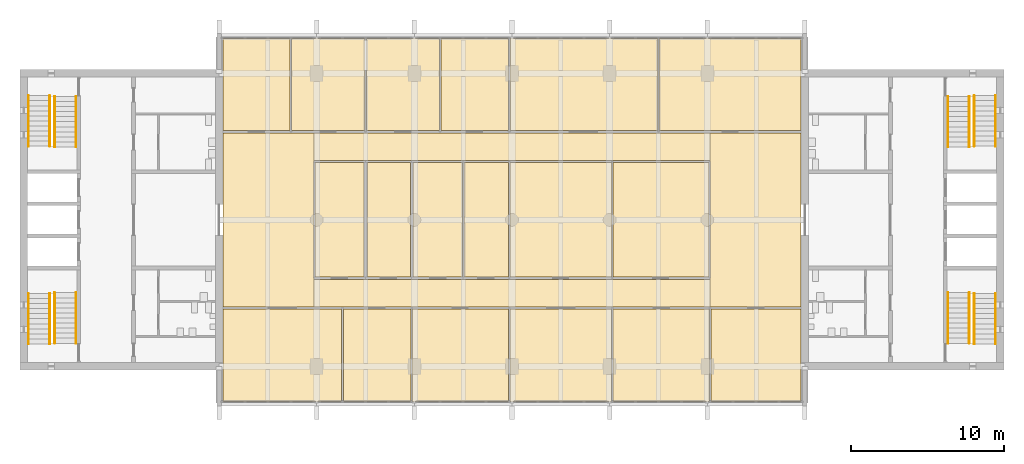
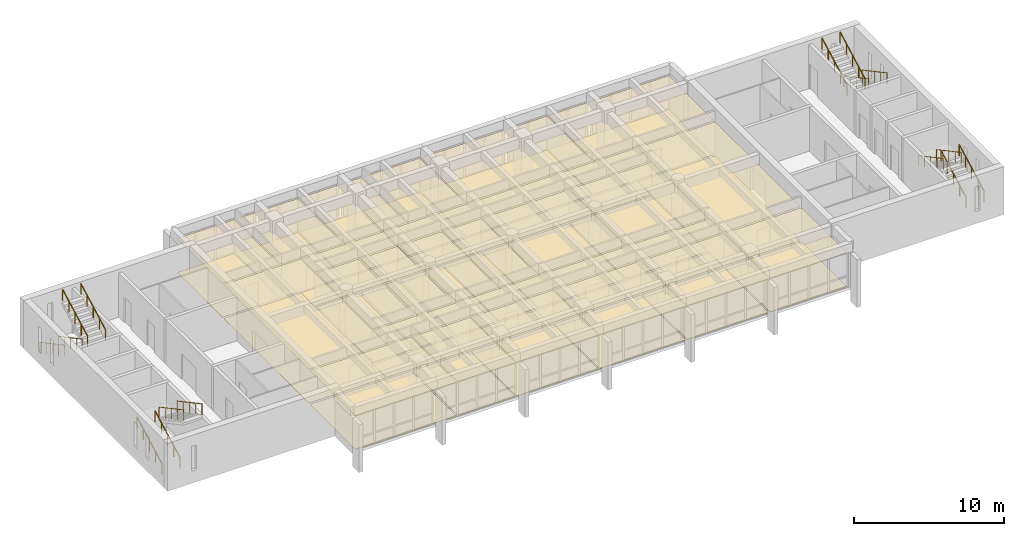
# One storey, part 14 of 15: 44 coverings, 16 railings.
"""IFC4 building model written with IfcOpenShell, lengths in metres."""

from ifc_helpers import new_model, si_unit, direction, frame, origin, origin_2d, place, context, subcontext, project, spatial, polyline, circle, outline, extrude, material, layer, layer_set, type_object, element, save


model = new_model("IFC4")

# Units and contexts
model_context = context("Model", 3, precision=1e-05, world=origin(), true_north=direction((0.0, 1.0)))
body_context = subcontext(model_context, "Body", "Model", "MODEL_VIEW")
ifc_project = project(units=[si_unit("LENGTHUNIT", "METRE"), si_unit("AREAUNIT", "SQUARE_METRE"), si_unit("VOLUMEUNIT", "CUBIC_METRE"), si_unit("PLANEANGLEUNIT", "RADIAN"), si_unit("MASSUNIT", "GRAM", prefix="KILO")], contexts=[model_context])

# Site, building, storey
site_placement = place(None, origin())
site = spatial("IfcSite", under=ifc_project, at=site_placement, CompositionType="ELEMENT")
building_placement = place(site_placement, origin())
building = spatial("IfcBuilding", under=site, at=building_placement, Name="Fogon Plaza Fire Station and Headquarters Tower", CompositionType="ELEMENT")
storey_placement = place(building_placement, frame((0.0, 0.0, 52.199951171875)))
storey = spatial("IfcBuildingStorey", under=building, at=storey_placement, Name="L13", CompositionType="ELEMENT", Elevation=52.199951171875)

# Railings
ifc_material_1 = material(Name="Steel", Category="steel")
railing_type = type_object("IfcRailingType", Name="Stair Handrail 900", PredefinedType="HANDRAIL", material=ifc_material_1)
for number, where, name in (
    (1, (13.10009765625, 35.06005859375, 0.17724609375), "Handrail ST1"),
    (2, (14.5, 35.06005859375, 0.17724609375), "Handrail ST1"),
):
    element("IfcRailing", number, at=place(storey_placement, frame(where)), inside=storey, type_object=railing_type, Name=name, PredefinedType="HANDRAIL", context=body_context, shape_type="SweptSolid", body=[
        extrude(circle(Radius=0.02392578125, at=origin_2d()), frame((0.0, 0.0, 0.8759765625), z_axis=(0.0, 0.881829236777, 0.471568867892), x_axis=(-1.0, 0.0, 0.0)), (0.0, 0.0, 1.0), 3.75927734375),
        extrude(circle(Radius=0.02099609375, at=origin_2d()), origin(), (0.0, 0.0, 1.0), 0.851806640625),
        extrude(circle(Radius=0.02099609375, at=origin_2d()), frame((0.0, 0.82861328125, 0.443115234375)), (0.0, 0.0, 1.0), 0.851806640625),
        extrude(circle(Radius=0.02099609375, at=origin_2d()), frame((0.0, 1.657470703125, 0.88623046875)), (0.0, 0.0, 1.0), 0.851806640625),
        extrude(circle(Radius=0.02099609375, at=origin_2d()), frame((0.0, 2.486328125, 1.32958984375)), (0.0, 0.0, 1.0), 0.851806640625),
        extrude(circle(Radius=0.02099609375, at=origin_2d()), frame((0.0, 3.31494140625, 1.772705078125)), (0.0, 0.0, 1.0), 0.851806640625),
    ])
for number, where, name in (
    (3, (16.22509765625, 38.425048828125, 2.12744140625), "Handrail ST1"),
    (4, (14.824951171875, 38.425048828125, 2.12744140625), "Handrail ST1"),
):
    element("IfcRailing", number, at=place(storey_placement, frame(where)), inside=storey, type_object=railing_type, Name=name, PredefinedType="HANDRAIL", context=body_context, shape_type="SweptSolid", body=[
        extrude(circle(Radius=0.02392578125, at=origin_2d()), frame((0.0, 0.0, 0.8759765625), z_axis=(0.0, -0.881829236777, 0.471568867892), x_axis=(1.0, 0.0, 0.0)), (0.0, 0.0, 1.0), 3.75927734375),
        extrude(circle(Radius=0.02099609375, at=origin_2d()), origin(), (0.0, 0.0, 1.0), 0.851806640625),
        extrude(circle(Radius=0.02099609375, at=origin_2d()), frame((0.0, -0.82861328125, 0.443115234375)), (0.0, 0.0, 1.0), 0.851806640625),
        extrude(circle(Radius=0.02099609375, at=origin_2d()), frame((0.0, -1.657470703125, 0.88623046875)), (0.0, 0.0, 1.0), 0.851806640625),
        extrude(circle(Radius=0.02099609375, at=origin_2d()), frame((0.0, -2.486328125, 1.32958984375)), (0.0, 0.0, 1.0), 0.851806640625),
        extrude(circle(Radius=0.02099609375, at=origin_2d()), frame((0.0, -3.31494140625, 1.772705078125)), (0.0, 0.0, 1.0), 0.851806640625),
    ])
for number, where, name in (
    (5, (13.10009765625, 51.340087890625, 0.17724609375), "Handrail ST2"),
    (6, (14.5, 51.340087890625, 0.17724609375), "Handrail ST2"),
):
    element("IfcRailing", number, at=place(storey_placement, frame(where)), inside=storey, type_object=railing_type, Name=name, PredefinedType="HANDRAIL", context=body_context, shape_type="SweptSolid", body=[
        extrude(circle(Radius=0.02392578125, at=origin_2d()), frame((0.0, 0.0, 0.8759765625), z_axis=(0.0, -0.881843677922, 0.471541862095), x_axis=(1.0, 0.0, 0.0)), (0.0, 0.0, 1.0), 3.75927734375),
        extrude(circle(Radius=0.02099609375, at=origin_2d()), origin(), (0.0, 0.0, 1.0), 0.851806640625),
        extrude(circle(Radius=0.02099609375, at=origin_2d()), frame((0.0, -0.828857421875, 0.443115234375)), (0.0, 0.0, 1.0), 0.851806640625),
        extrude(circle(Radius=0.02099609375, at=origin_2d()), frame((0.0, -1.65771484375, 0.88623046875)), (0.0, 0.0, 1.0), 0.851806640625),
        extrude(circle(Radius=0.02099609375, at=origin_2d()), frame((0.0, -2.486328125, 1.32958984375)), (0.0, 0.0, 1.0), 0.851806640625),
        extrude(circle(Radius=0.02099609375, at=origin_2d()), frame((0.0, -3.315185546875, 1.772705078125)), (0.0, 0.0, 1.0), 0.851806640625),
    ])
for number, where, name in (
    (7, (16.22509765625, 47.97509765625, 2.12744140625), "Handrail ST2"),
    (8, (14.824951171875, 47.97509765625, 2.12744140625), "Handrail ST2"),
    (9, (76.5, 35.06005859375, 0.17724609375), "Handrail ST3"),
    (10, (75.10009765625, 35.06005859375, 0.17724609375), "Handrail ST3"),
):
    element("IfcRailing", number, at=place(storey_placement, frame(where)), inside=storey, type_object=railing_type, Name=name, PredefinedType="HANDRAIL", context=body_context, shape_type="SweptSolid", body=[
        extrude(circle(Radius=0.02392578125, at=origin_2d()), frame((0.0, 0.0, 0.8759765625), z_axis=(0.0, 0.881829236777, 0.471568867892), x_axis=(-1.0, 0.0, 0.0)), (0.0, 0.0, 1.0), 3.75927734375),
        extrude(circle(Radius=0.02099609375, at=origin_2d()), origin(), (0.0, 0.0, 1.0), 0.851806640625),
        extrude(circle(Radius=0.02099609375, at=origin_2d()), frame((0.0, 0.82861328125, 0.443115234375)), (0.0, 0.0, 1.0), 0.851806640625),
        extrude(circle(Radius=0.02099609375, at=origin_2d()), frame((0.0, 1.657470703125, 0.88623046875)), (0.0, 0.0, 1.0), 0.851806640625),
        extrude(circle(Radius=0.02099609375, at=origin_2d()), frame((0.0, 2.486328125, 1.32958984375)), (0.0, 0.0, 1.0), 0.851806640625),
        extrude(circle(Radius=0.02099609375, at=origin_2d()), frame((0.0, 3.31494140625, 1.772705078125)), (0.0, 0.0, 1.0), 0.851806640625),
    ])
for number, where, name in (
    (11, (73.375, 38.425048828125, 2.12744140625), "Handrail ST3"),
    (12, (74.77490234375, 38.425048828125, 2.12744140625), "Handrail ST3"),
):
    element("IfcRailing", number, at=place(storey_placement, frame(where)), inside=storey, type_object=railing_type, Name=name, PredefinedType="HANDRAIL", context=body_context, shape_type="SweptSolid", body=[
        extrude(circle(Radius=0.02392578125, at=origin_2d()), frame((0.0, 0.0, 0.8759765625), z_axis=(0.0, -0.881829236777, 0.471568867892), x_axis=(1.0, 0.0, 0.0)), (0.0, 0.0, 1.0), 3.75927734375),
        extrude(circle(Radius=0.02099609375, at=origin_2d()), origin(), (0.0, 0.0, 1.0), 0.851806640625),
        extrude(circle(Radius=0.02099609375, at=origin_2d()), frame((0.0, -0.82861328125, 0.443115234375)), (0.0, 0.0, 1.0), 0.851806640625),
        extrude(circle(Radius=0.02099609375, at=origin_2d()), frame((0.0, -1.657470703125, 0.88623046875)), (0.0, 0.0, 1.0), 0.851806640625),
        extrude(circle(Radius=0.02099609375, at=origin_2d()), frame((0.0, -2.486328125, 1.32958984375)), (0.0, 0.0, 1.0), 0.851806640625),
        extrude(circle(Radius=0.02099609375, at=origin_2d()), frame((0.0, -3.31494140625, 1.772705078125)), (0.0, 0.0, 1.0), 0.851806640625),
    ])
for number, where, name in (
    (13, (76.5, 51.340087890625, 0.17724609375), "Handrail ST4"),
    (14, (75.10009765625, 51.340087890625, 0.17724609375), "Handrail ST4"),
):
    element("IfcRailing", number, at=place(storey_placement, frame(where)), inside=storey, type_object=railing_type, Name=name, PredefinedType="HANDRAIL", context=body_context, shape_type="SweptSolid", body=[
        extrude(circle(Radius=0.02392578125, at=origin_2d()), frame((0.0, 0.0, 0.8759765625), z_axis=(0.0, -0.881843677922, 0.471541862095), x_axis=(1.0, 0.0, 0.0)), (0.0, 0.0, 1.0), 3.75927734375),
        extrude(circle(Radius=0.02099609375, at=origin_2d()), origin(), (0.0, 0.0, 1.0), 0.851806640625),
        extrude(circle(Radius=0.02099609375, at=origin_2d()), frame((0.0, -0.828857421875, 0.443115234375)), (0.0, 0.0, 1.0), 0.851806640625),
        extrude(circle(Radius=0.02099609375, at=origin_2d()), frame((0.0, -1.65771484375, 0.88623046875)), (0.0, 0.0, 1.0), 0.851806640625),
        extrude(circle(Radius=0.02099609375, at=origin_2d()), frame((0.0, -2.486328125, 1.32958984375)), (0.0, 0.0, 1.0), 0.851806640625),
        extrude(circle(Radius=0.02099609375, at=origin_2d()), frame((0.0, -3.315185546875, 1.772705078125)), (0.0, 0.0, 1.0), 0.851806640625),
    ])
for number, where, name in (
    (15, (73.375, 47.97509765625, 2.12744140625), "Handrail ST4"),
    (16, (74.77490234375, 47.97509765625, 2.12744140625), "Handrail ST4"),
):
    element("IfcRailing", number, at=place(storey_placement, frame(where)), inside=storey, type_object=railing_type, Name=name, PredefinedType="HANDRAIL", context=body_context, shape_type="SweptSolid", body=[
        extrude(circle(Radius=0.02392578125, at=origin_2d()), frame((0.0, 0.0, 0.8759765625), z_axis=(0.0, 0.881829236777, 0.471568867892), x_axis=(-1.0, 0.0, 0.0)), (0.0, 0.0, 1.0), 3.75927734375),
        extrude(circle(Radius=0.02099609375, at=origin_2d()), origin(), (0.0, 0.0, 1.0), 0.851806640625),
        extrude(circle(Radius=0.02099609375, at=origin_2d()), frame((0.0, 0.82861328125, 0.443115234375)), (0.0, 0.0, 1.0), 0.851806640625),
        extrude(circle(Radius=0.02099609375, at=origin_2d()), frame((0.0, 1.657470703125, 0.88623046875)), (0.0, 0.0, 1.0), 0.851806640625),
        extrude(circle(Radius=0.02099609375, at=origin_2d()), frame((0.0, 2.486328125, 1.32958984375)), (0.0, 0.0, 1.0), 0.851806640625),
        extrude(circle(Radius=0.02099609375, at=origin_2d()), frame((0.0, 3.31494140625, 1.772705078125)), (0.0, 0.0, 1.0), 0.851806640625),
    ])

# Coverings
ifc_material_2 = material(Name="Acoustic ceiling tile")
ifc_layer_1 = layer(ifc_material_2, 0.050048828125)
ifc_layer_set_1 = layer_set([ifc_layer_1], Name="Acoustic ceiling tile")
covering_type_1 = type_object("IfcCoveringType", Name="Tower acoustic ceiling", PredefinedType="CEILING", material=ifc_layer_set_1)
covering_1_placement = place(storey_placement, frame((0.0, 0.0, 2.72998046875)))
element("IfcCovering", 17, at=covering_1_placement, inside=storey, type_object=covering_type_1, Name="cov-cl-L13-03", PredefinedType="CEILING", context=body_context, shape_type="SweptSolid", body=[
    extrude(outline(polyline([(44.58251953125, 31.300048828125), (44.58251953125, 37.35009765625), (38.257568359375, 37.35009765625), (38.257568359375, 31.300048828125), (44.58251953125, 31.300048828125)])), origin(), (0.0, 0.0, 1.0), 0.050048828125),
])
covering_2_placement = place(storey_placement, frame((0.0, 0.0, 2.72998046875)))
element("IfcCovering", 18, at=covering_2_placement, inside=storey, type_object=covering_type_1, Name="cov-cl-L13-08", PredefinedType="CEILING", context=body_context, shape_type="SweptSolid", body=[
    extrude(outline(polyline([(38.132568359375, 39.449951171875), (38.132568359375, 46.949951171875), (35.28759765625, 46.949951171875), (35.28759765625, 39.449951171875), (38.132568359375, 39.449951171875)])), origin(), (0.0, 0.0, 1.0), 0.050048828125),
])
covering_3_placement = place(storey_placement, frame((0.0, 0.0, 2.72998046875)))
element("IfcCovering", 19, at=covering_3_placement, inside=storey, type_object=covering_type_1, Name="cov-cl-L13-09", PredefinedType="CEILING", context=body_context, shape_type="SweptSolid", body=[
    extrude(outline(polyline([(41.5625, 39.449951171875), (41.5625, 46.949951171875), (38.3076171875, 46.949951171875), (38.3076171875, 39.449951171875), (41.5625, 39.449951171875)])), origin(), (0.0, 0.0, 1.0), 0.050048828125),
])
covering_4_placement = place(storey_placement, frame((0.0, 0.0, 2.72998046875)))
element("IfcCovering", 20, at=covering_4_placement, inside=storey, type_object=covering_type_1, Name="cov-cl-L13-11", PredefinedType="CEILING", context=body_context, shape_type="SweptSolid", body=[
    extrude(outline(polyline([(51.342529296875, 39.449951171875), (51.342529296875, 46.949951171875), (44.657470703125, 46.949951171875), (44.657470703125, 39.449951171875), (51.342529296875, 39.449951171875)])), origin(), (0.0, 0.0, 1.0), 0.050048828125),
])
covering_5_placement = place(storey_placement, frame((0.0, 0.0, 2.72998046875)))
element("IfcCovering", 21, at=covering_5_placement, inside=storey, type_object=covering_type_1, Name="cov-cl-L13-18", PredefinedType="CEILING", context=body_context, shape_type="SweptSolid", body=[
    extrude(outline(polyline([(63.75, 49.050048828125), (63.75, 55.10009765625), (54.4375, 55.10009765625), (54.4375, 49.050048828125), (63.75, 49.050048828125)])), origin(), (0.0, 0.0, 1.0), 0.050048828125),
])
ifc_material_3 = material(Name="Carpet tile")
ifc_layer_2 = layer(ifc_material_3, 0.011962890625)
ifc_layer_set_2 = layer_set([ifc_layer_2], Name="Carpet tile")
covering_type_2 = type_object("IfcCoveringType", Name="Tower carpet tile floor", PredefinedType="FLOORING", material=ifc_layer_set_2)
covering_6_placement = place(storey_placement, origin())
element("IfcCovering", 22, at=covering_6_placement, inside=storey, type_object=covering_type_2, Name="cov-fl-L13-01", PredefinedType="FLOORING", context=body_context, shape_type="SweptSolid", body=[
    extrude(outline(polyline([(33.639892578125, 31.300048828125), (33.639892578125, 37.35009765625), (25.85009765625, 37.35009765625), (25.85009765625, 31.300048828125), (33.639892578125, 31.300048828125)])), origin(), (0.0, 0.0, 1.0), 0.011962890625),
])
covering_7_placement = place(storey_placement, origin())
element("IfcCovering", 23, at=covering_7_placement, inside=storey, type_object=covering_type_2, Name="cov-fl-L13-02", PredefinedType="FLOORING", context=body_context, shape_type="SweptSolid", body=[
    extrude(outline(polyline([(38.1826171875, 31.300048828125), (38.1826171875, 37.35009765625), (33.739990234375, 37.35009765625), (33.739990234375, 31.300048828125), (38.1826171875, 31.300048828125)])), origin(), (0.0, 0.0, 1.0), 0.011962890625),
])
covering_8_placement = place(storey_placement, origin())
element("IfcCovering", 24, at=covering_8_placement, inside=storey, type_object=covering_type_2, Name="cov-fl-L13-03", PredefinedType="FLOORING", context=body_context, shape_type="SweptSolid", body=[
    extrude(outline(polyline([(44.58251953125, 31.300048828125), (44.58251953125, 37.35009765625), (38.257568359375, 37.35009765625), (38.257568359375, 31.300048828125), (44.58251953125, 31.300048828125)])), origin(), (0.0, 0.0, 1.0), 0.011962890625),
])
covering_9_placement = place(storey_placement, origin())
element("IfcCovering", 25, at=covering_9_placement, inside=storey, type_object=covering_type_2, Name="cov-fl-L13-04", PredefinedType="FLOORING", context=body_context, shape_type="SweptSolid", body=[
    extrude(outline(polyline([(51.330078125, 31.300048828125), (51.330078125, 37.35009765625), (44.657470703125, 37.35009765625), (44.657470703125, 31.300048828125), (51.330078125, 31.300048828125)])), origin(), (0.0, 0.0, 1.0), 0.011962890625),
])
covering_10_placement = place(storey_placement, origin())
element("IfcCovering", 26, at=covering_10_placement, inside=storey, type_object=covering_type_2, Name="cov-fl-L13-05", PredefinedType="FLOORING", context=body_context, shape_type="SweptSolid", body=[
    extrude(outline(polyline([(57.72998046875, 31.300048828125), (57.72998046875, 37.35009765625), (51.429931640625, 37.35009765625), (51.429931640625, 31.300048828125), (57.72998046875, 31.300048828125)])), origin(), (0.0, 0.0, 1.0), 0.011962890625),
])
covering_11_placement = place(storey_placement, origin())
element("IfcCovering", 27, at=covering_11_placement, inside=storey, type_object=covering_type_2, Name="cov-fl-L13-06", PredefinedType="FLOORING", context=body_context, shape_type="SweptSolid", body=[
    extrude(outline(polyline([(63.75, 31.300048828125), (63.75, 37.35009765625), (57.830078125, 37.35009765625), (57.830078125, 31.300048828125), (63.75, 31.300048828125)])), origin(), (0.0, 0.0, 1.0), 0.011962890625),
])
covering_12_placement = place(storey_placement, origin())
element("IfcCovering", 28, at=covering_12_placement, inside=storey, type_object=covering_type_2, Name="cov-fl-L13-08", PredefinedType="FLOORING", context=body_context, shape_type="SweptSolid", body=[
    extrude(outline(polyline([(38.132568359375, 39.449951171875), (38.132568359375, 46.949951171875), (35.28759765625, 46.949951171875), (35.28759765625, 39.449951171875), (38.132568359375, 39.449951171875)])), origin(), (0.0, 0.0, 1.0), 0.011962890625),
])
covering_13_placement = place(storey_placement, origin())
element("IfcCovering", 29, at=covering_13_placement, inside=storey, type_object=covering_type_2, Name="cov-fl-L13-09", PredefinedType="FLOORING", context=body_context, shape_type="SweptSolid", body=[
    extrude(outline(polyline([(41.5625, 39.449951171875), (41.5625, 46.949951171875), (38.3076171875, 46.949951171875), (38.3076171875, 39.449951171875), (41.5625, 39.449951171875)])), origin(), (0.0, 0.0, 1.0), 0.011962890625),
])
covering_14_placement = place(storey_placement, origin())
element("IfcCovering", 30, at=covering_14_placement, inside=storey, type_object=covering_type_2, Name="cov-fl-L13-11", PredefinedType="FLOORING", context=body_context, shape_type="SweptSolid", body=[
    extrude(outline(polyline([(51.342529296875, 39.449951171875), (51.342529296875, 46.949951171875), (44.657470703125, 46.949951171875), (44.657470703125, 39.449951171875), (51.342529296875, 39.449951171875)])), origin(), (0.0, 0.0, 1.0), 0.011962890625),
])
covering_15_placement = place(storey_placement, origin())
element("IfcCovering", 31, at=covering_15_placement, inside=storey, type_object=covering_type_2, Name="cov-fl-L13-13", PredefinedType="FLOORING", context=body_context, shape_type="SweptSolid", body=[
    extrude(outline(polyline([(30.260009765625, 49.050048828125), (30.260009765625, 55.10009765625), (25.85009765625, 55.10009765625), (25.85009765625, 49.050048828125), (30.260009765625, 49.050048828125)])), origin(), (0.0, 0.0, 1.0), 0.011962890625),
])
covering_16_placement = place(storey_placement, origin())
element("IfcCovering", 32, at=covering_16_placement, inside=storey, type_object=covering_type_2, Name="cov-fl-L13-14", PredefinedType="FLOORING", context=body_context, shape_type="SweptSolid", body=[
    extrude(outline(polyline([(35.14990234375, 49.050048828125), (35.14990234375, 55.10009765625), (30.360107421875, 55.10009765625), (30.360107421875, 49.050048828125), (35.14990234375, 49.050048828125)])), origin(), (0.0, 0.0, 1.0), 0.011962890625),
])
covering_17_placement = place(storey_placement, origin())
element("IfcCovering", 33, at=covering_17_placement, inside=storey, type_object=covering_type_2, Name="cov-fl-L13-15", PredefinedType="FLOORING", context=body_context, shape_type="SweptSolid", body=[
    extrude(outline(polyline([(40.0400390625, 49.050048828125), (40.0400390625, 55.10009765625), (35.25, 55.10009765625), (35.25, 49.050048828125), (40.0400390625, 49.050048828125)])), origin(), (0.0, 0.0, 1.0), 0.011962890625),
])
covering_18_placement = place(storey_placement, origin())
element("IfcCovering", 34, at=covering_18_placement, inside=storey, type_object=covering_type_2, Name="cov-fl-L13-16", PredefinedType="FLOORING", context=body_context, shape_type="SweptSolid", body=[
    extrude(outline(polyline([(44.570068359375, 49.050048828125), (44.570068359375, 55.10009765625), (40.139892578125, 55.10009765625), (40.139892578125, 49.050048828125), (44.570068359375, 49.050048828125)])), origin(), (0.0, 0.0, 1.0), 0.011962890625),
])
covering_19_placement = place(storey_placement, origin())
element("IfcCovering", 35, at=covering_19_placement, inside=storey, type_object=covering_type_2, Name="cov-fl-L13-17", PredefinedType="FLOORING", context=body_context, shape_type="SweptSolid", body=[
    extrude(outline(polyline([(54.362548828125, 49.050048828125), (54.362548828125, 55.10009765625), (44.669921875, 55.10009765625), (44.669921875, 49.050048828125), (54.362548828125, 49.050048828125)])), origin(), (0.0, 0.0, 1.0), 0.011962890625),
])
covering_20_placement = place(storey_placement, origin())
element("IfcCovering", 36, at=covering_20_placement, inside=storey, type_object=covering_type_2, Name="cov-fl-L13-18", PredefinedType="FLOORING", context=body_context, shape_type="SweptSolid", body=[
    extrude(outline(polyline([(63.75, 49.050048828125), (63.75, 55.10009765625), (54.4375, 55.10009765625), (54.4375, 49.050048828125), (63.75, 49.050048828125)])), origin(), (0.0, 0.0, 1.0), 0.011962890625),
])
ifc_material_4 = material(Name="Heavy duty carpet tile")
ifc_layer_3 = layer(ifc_material_4, 0.013916015625)
ifc_layer_set_3 = layer_set([ifc_layer_3], Name="Heavy duty carpet tile")
covering_type_3 = type_object("IfcCoveringType", Name="Tower corridor carpet floor", PredefinedType="FLOORING", material=ifc_layer_set_3)
covering_21_placement = place(storey_placement, origin())
element("IfcCovering", 37, at=covering_21_placement, inside=storey, type_object=covering_type_3, Name="cov-fl-L13-19", PredefinedType="FLOORING", context=body_context, shape_type="SweptSolid", body=[
    extrude(outline(polyline([(57.780029296875, 37.5), (57.780029296875, 39.300048828125), (31.820068359375, 39.300048828125), (31.820068359375, 37.5), (57.780029296875, 37.5)])), origin(), (0.0, 0.0, 1.0), 0.01416015625),
])
covering_22_placement = place(storey_placement, origin())
element("IfcCovering", 38, at=covering_22_placement, inside=storey, type_object=covering_type_3, Name="cov-fl-L13-20", PredefinedType="FLOORING", context=body_context, shape_type="SweptSolid", body=[
    extrude(outline(polyline([(57.780029296875, 47.10009765625), (57.780029296875, 48.89990234375), (31.820068359375, 48.89990234375), (31.820068359375, 47.10009765625), (57.780029296875, 47.10009765625)])), origin(), (0.0, 0.0, 1.0), 0.01416015625),
])
covering_23_placement = place(storey_placement, origin())
element("IfcCovering", 39, at=covering_23_placement, inside=storey, type_object=covering_type_3, Name="cov-fl-L13-21", PredefinedType="FLOORING", context=body_context, shape_type="SweptSolid", body=[
    extrude(outline(polyline([(31.820068359375, 37.5), (31.820068359375, 48.89990234375), (25.85009765625, 48.89990234375), (25.85009765625, 37.5), (31.820068359375, 37.5)])), origin(), (0.0, 0.0, 1.0), 0.01416015625),
])
covering_24_placement = place(storey_placement, origin())
element("IfcCovering", 40, at=covering_24_placement, inside=storey, type_object=covering_type_3, Name="cov-fl-L13-22", PredefinedType="FLOORING", context=body_context, shape_type="SweptSolid", body=[
    extrude(outline(polyline([(63.75, 37.5), (63.75, 48.89990234375), (57.780029296875, 48.89990234375), (57.780029296875, 37.5), (63.75, 37.5)])), origin(), (0.0, 0.0, 1.0), 0.01416015625),
])
ifc_material_5 = material(Name="Plasterboard ceiling")
ifc_layer_4 = layer(ifc_material_5, 0.030029296875)
ifc_layer_set_4 = layer_set([ifc_layer_4], Name="Plasterboard ceiling")
covering_type_4 = type_object("IfcCoveringType", Name="Tower plasterboard ceiling", PredefinedType="CEILING", material=ifc_layer_set_4)
covering_25_placement = place(storey_placement, frame((0.0, 0.0, 2.75)))
element("IfcCovering", 41, at=covering_25_placement, inside=storey, type_object=covering_type_4, Name="cov-cl-L13-19", PredefinedType="CEILING", context=body_context, shape_type="SweptSolid", body=[
    extrude(outline(polyline([(57.780029296875, 37.5), (57.780029296875, 39.300048828125), (31.820068359375, 39.300048828125), (31.820068359375, 37.5), (57.780029296875, 37.5)])), origin(), (0.0, 0.0, 1.0), 0.030029296875),
])
covering_26_placement = place(storey_placement, frame((0.0, 0.0, 2.75)))
element("IfcCovering", 42, at=covering_26_placement, inside=storey, type_object=covering_type_4, Name="cov-cl-L13-20", PredefinedType="CEILING", context=body_context, shape_type="SweptSolid", body=[
    extrude(outline(polyline([(57.780029296875, 47.10009765625), (57.780029296875, 48.89990234375), (31.820068359375, 48.89990234375), (31.820068359375, 47.10009765625), (57.780029296875, 47.10009765625)])), origin(), (0.0, 0.0, 1.0), 0.030029296875),
])
covering_27_placement = place(storey_placement, frame((0.0, 0.0, 2.75)))
element("IfcCovering", 43, at=covering_27_placement, inside=storey, type_object=covering_type_4, Name="cov-cl-L13-21", PredefinedType="CEILING", context=body_context, shape_type="SweptSolid", body=[
    extrude(outline(polyline([(31.820068359375, 37.5), (31.820068359375, 48.89990234375), (25.85009765625, 48.89990234375), (25.85009765625, 37.5), (31.820068359375, 37.5)])), origin(), (0.0, 0.0, 1.0), 0.030029296875),
])
covering_28_placement = place(storey_placement, frame((0.0, 0.0, 2.75)))
element("IfcCovering", 44, at=covering_28_placement, inside=storey, type_object=covering_type_4, Name="cov-cl-L13-22", PredefinedType="CEILING", context=body_context, shape_type="SweptSolid", body=[
    extrude(outline(polyline([(63.75, 37.5), (63.75, 48.89990234375), (57.780029296875, 48.89990234375), (57.780029296875, 37.5), (63.75, 37.5)])), origin(), (0.0, 0.0, 1.0), 0.030029296875),
])
ifc_material_6 = material(Name="Sealed cement screed")
ifc_layer_5 = layer(ifc_material_6, 0.030029296875)
ifc_layer_set_5 = layer_set([ifc_layer_5], Name="Sealed cement screed")
covering_type_5 = type_object("IfcCoveringType", Name="Tower sealed screed floor", PredefinedType="FLOORING", material=ifc_layer_set_5)
covering_29_placement = place(storey_placement, origin())
element("IfcCovering", 45, at=covering_29_placement, inside=storey, type_object=covering_type_5, Name="cov-fl-L13-07", PredefinedType="FLOORING", context=body_context, shape_type="SweptSolid", body=[
    extrude(outline(polyline([(35.112548828125, 39.449951171875), (35.112548828125, 46.949951171875), (31.89501953125, 46.949951171875), (31.89501953125, 39.449951171875), (35.112548828125, 39.449951171875)])), origin(), (0.0, 0.0, 1.0), 0.030029296875),
])
covering_30_placement = place(storey_placement, origin())
element("IfcCovering", 46, at=covering_30_placement, inside=storey, type_object=covering_type_5, Name="cov-fl-L13-10", PredefinedType="FLOORING", context=body_context, shape_type="SweptSolid", body=[
    extrude(outline(polyline([(44.58251953125, 39.449951171875), (44.58251953125, 46.949951171875), (41.637451171875, 46.949951171875), (41.637451171875, 39.449951171875), (44.58251953125, 39.449951171875)])), origin(), (0.0, 0.0, 1.0), 0.030029296875),
])
covering_31_placement = place(storey_placement, origin())
element("IfcCovering", 47, at=covering_31_placement, inside=storey, type_object=covering_type_5, Name="cov-fl-L13-12", PredefinedType="FLOORING", context=body_context, shape_type="SweptSolid", body=[
    extrude(outline(polyline([(57.705078125, 39.449951171875), (57.705078125, 46.949951171875), (51.41748046875, 46.949951171875), (51.41748046875, 39.449951171875), (57.705078125, 39.449951171875)])), origin(), (0.0, 0.0, 1.0), 0.030029296875),
])
ifc_material_7 = material(Name="Mineral fibre ceiling tile")
ifc_layer_6 = layer(ifc_material_7, 0.0400390625)
ifc_layer_set_6 = layer_set([ifc_layer_6], Name="Mineral fibre ceiling tile")
covering_type_6 = type_object("IfcCoveringType", Name="Tower suspended tile ceiling", PredefinedType="CEILING", material=ifc_layer_set_6)
covering_32_placement = place(storey_placement, frame((0.0, 0.0, 2.739990234375)))
element("IfcCovering", 48, at=covering_32_placement, inside=storey, type_object=covering_type_6, Name="cov-cl-L13-01", PredefinedType="CEILING", context=body_context, shape_type="SweptSolid", body=[
    extrude(outline(polyline([(33.639892578125, 31.300048828125), (33.639892578125, 37.35009765625), (25.85009765625, 37.35009765625), (25.85009765625, 31.300048828125), (33.639892578125, 31.300048828125)])), origin(), (0.0, 0.0, 1.0), 0.0400390625),
])
covering_33_placement = place(storey_placement, frame((0.0, 0.0, 2.739990234375)))
element("IfcCovering", 49, at=covering_33_placement, inside=storey, type_object=covering_type_6, Name="cov-cl-L13-02", PredefinedType="CEILING", context=body_context, shape_type="SweptSolid", body=[
    extrude(outline(polyline([(38.1826171875, 31.300048828125), (38.1826171875, 37.35009765625), (33.739990234375, 37.35009765625), (33.739990234375, 31.300048828125), (38.1826171875, 31.300048828125)])), origin(), (0.0, 0.0, 1.0), 0.0400390625),
])
covering_34_placement = place(storey_placement, frame((0.0, 0.0, 2.739990234375)))
element("IfcCovering", 50, at=covering_34_placement, inside=storey, type_object=covering_type_6, Name="cov-cl-L13-04", PredefinedType="CEILING", context=body_context, shape_type="SweptSolid", body=[
    extrude(outline(polyline([(51.330078125, 31.300048828125), (51.330078125, 37.35009765625), (44.657470703125, 37.35009765625), (44.657470703125, 31.300048828125), (51.330078125, 31.300048828125)])), origin(), (0.0, 0.0, 1.0), 0.0400390625),
])
covering_35_placement = place(storey_placement, frame((0.0, 0.0, 2.739990234375)))
element("IfcCovering", 51, at=covering_35_placement, inside=storey, type_object=covering_type_6, Name="cov-cl-L13-05", PredefinedType="CEILING", context=body_context, shape_type="SweptSolid", body=[
    extrude(outline(polyline([(57.72998046875, 31.300048828125), (57.72998046875, 37.35009765625), (51.429931640625, 37.35009765625), (51.429931640625, 31.300048828125), (57.72998046875, 31.300048828125)])), origin(), (0.0, 0.0, 1.0), 0.0400390625),
])
covering_36_placement = place(storey_placement, frame((0.0, 0.0, 2.739990234375)))
element("IfcCovering", 52, at=covering_36_placement, inside=storey, type_object=covering_type_6, Name="cov-cl-L13-06", PredefinedType="CEILING", context=body_context, shape_type="SweptSolid", body=[
    extrude(outline(polyline([(63.75, 31.300048828125), (63.75, 37.35009765625), (57.830078125, 37.35009765625), (57.830078125, 31.300048828125), (63.75, 31.300048828125)])), origin(), (0.0, 0.0, 1.0), 0.0400390625),
])
covering_37_placement = place(storey_placement, frame((0.0, 0.0, 2.739990234375)))
element("IfcCovering", 53, at=covering_37_placement, inside=storey, type_object=covering_type_6, Name="cov-cl-L13-07", PredefinedType="CEILING", context=body_context, shape_type="SweptSolid", body=[
    extrude(outline(polyline([(35.112548828125, 39.449951171875), (35.112548828125, 46.949951171875), (31.89501953125, 46.949951171875), (31.89501953125, 39.449951171875), (35.112548828125, 39.449951171875)])), origin(), (0.0, 0.0, 1.0), 0.0400390625),
])
covering_38_placement = place(storey_placement, frame((0.0, 0.0, 2.739990234375)))
element("IfcCovering", 54, at=covering_38_placement, inside=storey, type_object=covering_type_6, Name="cov-cl-L13-10", PredefinedType="CEILING", context=body_context, shape_type="SweptSolid", body=[
    extrude(outline(polyline([(44.58251953125, 39.449951171875), (44.58251953125, 46.949951171875), (41.637451171875, 46.949951171875), (41.637451171875, 39.449951171875), (44.58251953125, 39.449951171875)])), origin(), (0.0, 0.0, 1.0), 0.0400390625),
])
covering_39_placement = place(storey_placement, frame((0.0, 0.0, 2.739990234375)))
element("IfcCovering", 55, at=covering_39_placement, inside=storey, type_object=covering_type_6, Name="cov-cl-L13-12", PredefinedType="CEILING", context=body_context, shape_type="SweptSolid", body=[
    extrude(outline(polyline([(57.705078125, 39.449951171875), (57.705078125, 46.949951171875), (51.41748046875, 46.949951171875), (51.41748046875, 39.449951171875), (57.705078125, 39.449951171875)])), origin(), (0.0, 0.0, 1.0), 0.0400390625),
])
covering_40_placement = place(storey_placement, frame((0.0, 0.0, 2.739990234375)))
element("IfcCovering", 56, at=covering_40_placement, inside=storey, type_object=covering_type_6, Name="cov-cl-L13-13", PredefinedType="CEILING", context=body_context, shape_type="SweptSolid", body=[
    extrude(outline(polyline([(30.260009765625, 49.050048828125), (30.260009765625, 55.10009765625), (25.85009765625, 55.10009765625), (25.85009765625, 49.050048828125), (30.260009765625, 49.050048828125)])), origin(), (0.0, 0.0, 1.0), 0.0400390625),
])
covering_41_placement = place(storey_placement, frame((0.0, 0.0, 2.739990234375)))
element("IfcCovering", 57, at=covering_41_placement, inside=storey, type_object=covering_type_6, Name="cov-cl-L13-14", PredefinedType="CEILING", context=body_context, shape_type="SweptSolid", body=[
    extrude(outline(polyline([(35.14990234375, 49.050048828125), (35.14990234375, 55.10009765625), (30.360107421875, 55.10009765625), (30.360107421875, 49.050048828125), (35.14990234375, 49.050048828125)])), origin(), (0.0, 0.0, 1.0), 0.0400390625),
])
covering_42_placement = place(storey_placement, frame((0.0, 0.0, 2.739990234375)))
element("IfcCovering", 58, at=covering_42_placement, inside=storey, type_object=covering_type_6, Name="cov-cl-L13-15", PredefinedType="CEILING", context=body_context, shape_type="SweptSolid", body=[
    extrude(outline(polyline([(40.0400390625, 49.050048828125), (40.0400390625, 55.10009765625), (35.25, 55.10009765625), (35.25, 49.050048828125), (40.0400390625, 49.050048828125)])), origin(), (0.0, 0.0, 1.0), 0.0400390625),
])
covering_43_placement = place(storey_placement, frame((0.0, 0.0, 2.739990234375)))
element("IfcCovering", 59, at=covering_43_placement, inside=storey, type_object=covering_type_6, Name="cov-cl-L13-16", PredefinedType="CEILING", context=body_context, shape_type="SweptSolid", body=[
    extrude(outline(polyline([(44.570068359375, 49.050048828125), (44.570068359375, 55.10009765625), (40.139892578125, 55.10009765625), (40.139892578125, 49.050048828125), (44.570068359375, 49.050048828125)])), origin(), (0.0, 0.0, 1.0), 0.0400390625),
])
covering_44_placement = place(storey_placement, frame((0.0, 0.0, 2.739990234375)))
element("IfcCovering", 60, at=covering_44_placement, inside=storey, type_object=covering_type_6, Name="cov-cl-L13-17", PredefinedType="CEILING", context=body_context, shape_type="SweptSolid", body=[
    extrude(outline(polyline([(54.362548828125, 49.050048828125), (54.362548828125, 55.10009765625), (44.669921875, 55.10009765625), (44.669921875, 49.050048828125), (54.362548828125, 49.050048828125)])), origin(), (0.0, 0.0, 1.0), 0.0400390625),
])

save(model, "model.ifc")
